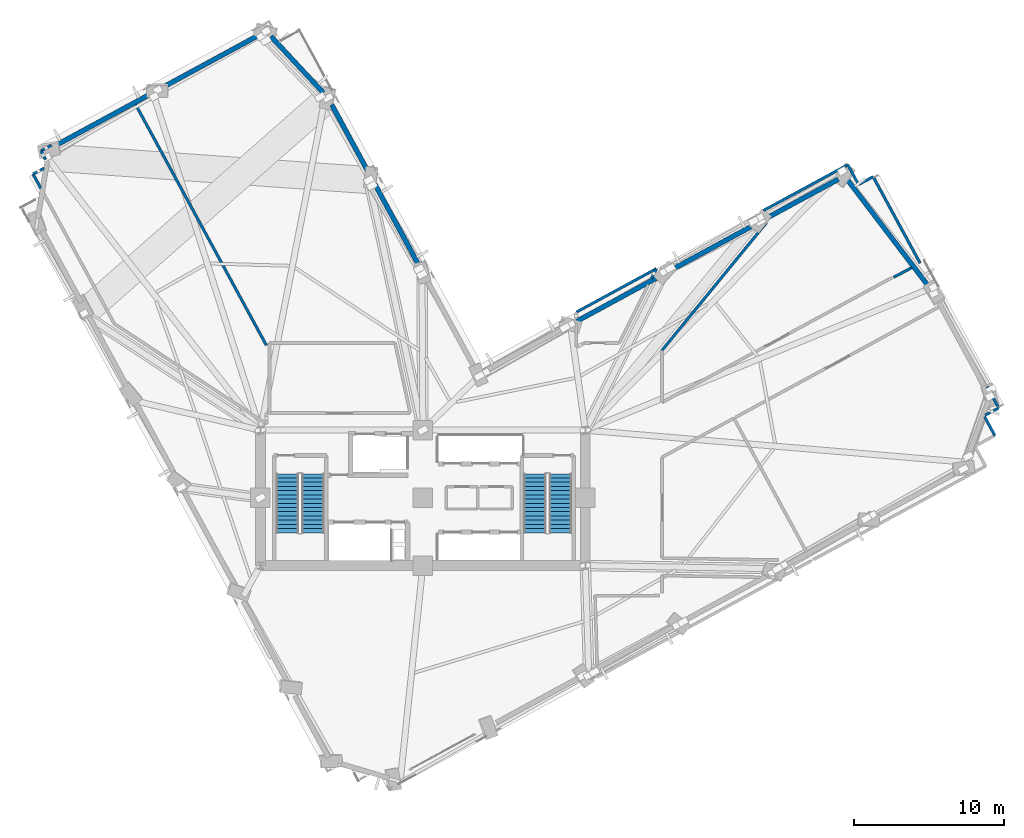
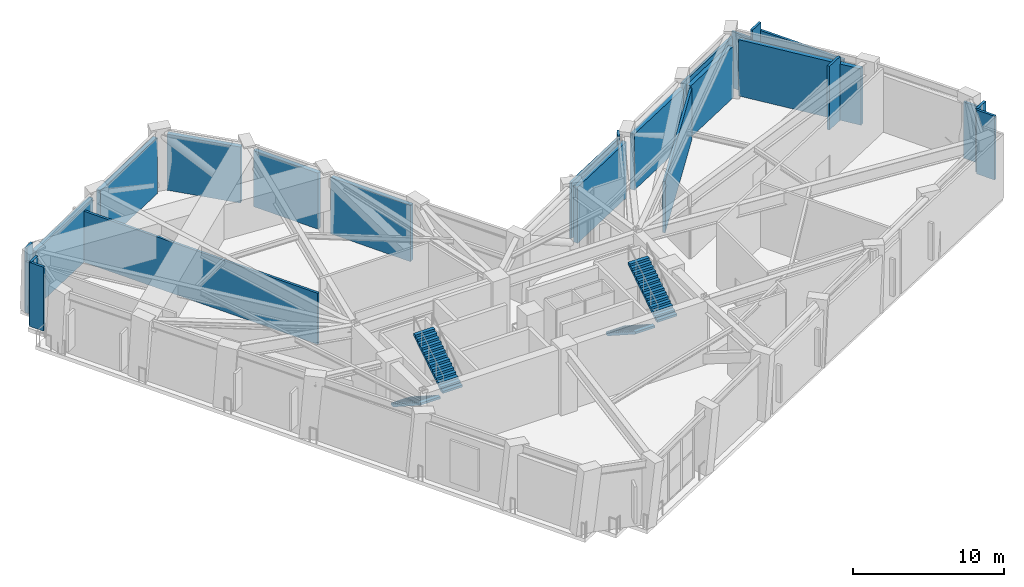
# One storey, part 10 of 15: 25 walls, 4 stair flights, 2 elements without a shape of their own.
"""IFC4 building model written with IfcOpenShell, lengths in metres."""

import ifcopenshell
import ifcopenshell.guid

model = None  # the IFC model being written
_history = None  # IfcOwnerHistory: only IFC2X3 demands one
_inside = {}  # id of a spatial element -> (the spatial element, [elements in it])
_under = {}  # id of a project, library or spatial element -> (it, [spatial elements below it])
_declared = {}  # id of a project -> (the project, [libraries it declares])
_typed = {}  # id of a type object -> (the type object, [elements of that type])
_made_of = {}  # id of a material, layer set ... -> (it, [elements and type objects made of it])


def new_model(schema):
    """Start an empty IFC model of exactly this schema.

    Asked for "IFC4X3", IfcOpenShell would pick the latest addendum, in which some entities
    have other attributes; the version numbers below select the first issue.
    IFC2X3 requires an IfcOwnerHistory on every rooted entity: one is made here for all.
    """
    global model, _history
    if schema == "IFC4X3":
        model = ifcopenshell.file(schema_version=(4, 3, 0, 0))
    else:
        model = ifcopenshell.file(schema=schema)
    _inside.clear()
    _under.clear()
    _declared.clear()
    _typed.clear()
    _made_of.clear()
    _history = None
    if model.schema == "IFC2X3":
        org = make("IfcOrganization", Name="unknown")
        user = make(
            "IfcPersonAndOrganization",
            ThePerson=make("IfcPerson", FamilyName="unknown"),
            TheOrganization=org,
        )
        app = make(
            "IfcApplication",
            ApplicationDeveloper=org,
            Version="unknown",
            ApplicationFullName="unknown",
            ApplicationIdentifier="unknown",
        )
        _history = make(
            "IfcOwnerHistory",
            OwningUser=user,
            OwningApplication=app,
            ChangeAction="ADDED",
            CreationDate=0,
        )
    return model


def make(cls, **values):
    """One entity of the class cls with the attributes given. An attribute that is None is left unset."""
    return model.create_entity(
        cls, **{name: value for name, value in values.items() if value is not None}
    )


def rooted(cls, **values):
    """An entity with a GlobalId (a new one), such as an element, a storey or a relation."""
    return make(cls, GlobalId=ifcopenshell.guid.new(), OwnerHistory=_history, **values)


def si_unit(unit_type, name, prefix=None):
    """IfcSIUnit, for example si_unit("LENGTHUNIT", "METRE", prefix="MILLI")."""
    return make("IfcSIUnit", UnitType=unit_type, Prefix=prefix, Name=name)


def assignment(units):
    """IfcUnitAssignment: the units of a project."""
    return None if units is None else make("IfcUnitAssignment", Units=units)


def point(xyz):
    """IfcCartesianPoint."""
    return None if xyz is None else make("IfcCartesianPoint", Coordinates=xyz)


def direction(xyz):
    """IfcDirection."""
    return None if xyz is None else make("IfcDirection", DirectionRatios=xyz)


def frame(location, z_axis=None, x_axis=None):
    """IfcAxis2Placement3D, a coordinate frame: its origin and axes. An axis left out is left unset."""
    return make(
        "IfcAxis2Placement3D",
        Location=point(location),
        Axis=direction(z_axis),
        RefDirection=direction(x_axis),
    )


def frame_2d(location, x_axis=None):
    """IfcAxis2Placement2D, a coordinate frame in the plane: its origin and x axis."""
    return make(
        "IfcAxis2Placement2D", Location=point(location), RefDirection=direction(x_axis)
    )


def origin():
    """The frame at (0, 0, 0) with its axes left unset."""
    return frame((0.0, 0.0, 0.0))


def place(relative_to, where):
    """IfcLocalPlacement: puts the frame where relative to a parent placement (None: the world)."""
    return make(
        "IfcLocalPlacement", PlacementRelTo=relative_to, RelativePlacement=where
    )


def context(
    kind, dimensions, precision=None, world=None, true_north=None, identifier=None
):
    """IfcGeometricRepresentationContext, for example the 3D "Model" context."""
    return make(
        "IfcGeometricRepresentationContext",
        ContextIdentifier=identifier,
        ContextType=kind,
        CoordinateSpaceDimension=dimensions,
        Precision=precision,
        WorldCoordinateSystem=world,
        TrueNorth=true_north,
    )


def subcontext(parent, identifier, kind, view, scale=None):
    """IfcGeometricRepresentationSubContext, for example "Body" below "Model"."""
    return make(
        "IfcGeometricRepresentationSubContext",
        ContextIdentifier=identifier,
        ContextType=kind,
        ParentContext=parent,
        TargetScale=scale,
        TargetView=view,
    )


def project(units=None, contexts=None):
    """IfcProject with its units and contexts."""
    return rooted(
        "IfcProject",
        Name="project",
        RepresentationContexts=contexts,
        UnitsInContext=assignment(units),
    )


def spatial(cls, under=None, at=None, **own):
    """A site, building, storey or space (cls), placed at a placement, below another one or the project."""
    s = rooted(cls, ObjectPlacement=at, **own)
    if under is not None:
        _under.setdefault(under.id(), (under, []))[1].append(s)
    return s


def polyline(points):
    """IfcPolyline through the points."""
    return make("IfcPolyline", Points=[point(p) for p in points])


def profile(cls, at=None, kind="AREA", **sizes):
    """A parametric profile (cls). Its sizes go by their IFC names, for example OverallWidth=200.0."""
    return make(cls, ProfileType=kind, Position=at, **sizes)


def rectangle(**sizes):
    """IfcRectangleProfileDef."""
    return profile("IfcRectangleProfileDef", **sizes)


def outline(outer, holes=None, kind="AREA"):
    """IfcArbitraryClosedProfileDef: a profile drawn as a closed curve; with holes, ...WithVoids."""
    if holes is None:
        return make("IfcArbitraryClosedProfileDef", ProfileType=kind, OuterCurve=outer)
    return make(
        "IfcArbitraryProfileDefWithVoids",
        ProfileType=kind,
        OuterCurve=outer,
        InnerCurves=holes,
    )


def extrude(swept, where, along, depth):
    """IfcExtrudedAreaSolid: the profile swept, set in the frame where, extruded along a direction by depth."""
    return make(
        "IfcExtrudedAreaSolid",
        SweptArea=swept,
        Position=where,
        ExtrudedDirection=direction(along),
        Depth=depth,
    )


def shape(context_of_items, identifier, shape_type, items):
    """IfcShapeRepresentation: the items that make up one representation, for example the "Body"."""
    return make(
        "IfcShapeRepresentation",
        ContextOfItems=context_of_items,
        RepresentationIdentifier=identifier,
        RepresentationType=shape_type,
        Items=items,
    )


def material(Name=None, Category=None):
    """IfcMaterial."""
    return make("IfcMaterial", Name=Name, Category=Category)


def layer(
    of_material, thickness, ventilated=None, Name=None, Category=None, Priority=None
):
    """IfcMaterialLayer: one layer of a wall or slab, of a material (None: an air gap)."""
    return make(
        "IfcMaterialLayer",
        Material=of_material,
        LayerThickness=thickness,
        IsVentilated=ventilated,
        Name=Name,
        Category=Category,
        Priority=Priority,
    )


def layer_set(layers, Name=None):
    """IfcMaterialLayerSet."""
    return make("IfcMaterialLayerSet", MaterialLayers=layers, LayerSetName=Name)


def made_of(thing, what):
    """Note that an element or type object is made of a material, layer set ...; save() writes the relation."""
    if what is not None:
        _made_of.setdefault(what.id(), (what, []))[1].append(thing)
    return thing


def type_object(cls, material=None, **own):
    """A type object (cls), such as IfcWallType, which elements share."""
    return made_of(rooted(cls, **own), material)


def element(
    cls,
    number,
    at=None,
    inside=None,
    cuts=None,
    type_object=None,
    material=None,
    context=None,
    identifier="Body",
    shape_type=None,
    held_by="IfcProductDefinitionShape",
    body=None,
    shapes=None,
    **own,
):
    """One element of the class cls, such as IfcWall. Its Tag is "e" and its number.

    at: its placement. inside: the storey or other place that contains it. cuts: it is an
    opening in that element (IfcRelVoidsElement). A single representation is given by context,
    identifier, shape_type and body (its items); several are given by shapes. held_by: the class
    of the entity that holds the representations. save() writes the other relations.
    """
    e = rooted(cls, Tag="e%d" % number, ObjectPlacement=at, **own)
    if body is not None:
        shapes = [shape(context, identifier, shape_type, body)]
    if shapes is not None:
        e.Representation = make(held_by, Representations=shapes)
    if inside is not None:
        _inside.setdefault(inside.id(), (inside, []))[1].append(e)
    if cuts is not None:
        rooted(
            "IfcRelVoidsElement", RelatingBuildingElement=cuts, RelatedOpeningElement=e
        )
    if type_object is not None:
        _typed.setdefault(type_object.id(), (type_object, []))[1].append(e)
    return made_of(e, material)


def aggregate(whole, parts):
    """IfcRelAggregates: a whole, such as a stair, and the parts it consists of."""
    return rooted("IfcRelAggregates", RelatingObject=whole, RelatedObjects=parts)


def save(model, path):
    """Write the relations noted so far, then the file.

    IfcRelAggregates (storeys below a building ...), IfcRelContainedInSpatialStructure (elements
    in a storey), IfcRelDefinesByType, IfcRelAssociatesMaterial and IfcRelDeclares: one each for
    every whole, place, type object, material and project.
    """
    for whole, parts in _under.values():
        aggregate(whole, parts)
    for where, things in _inside.values():
        rooted(
            "IfcRelContainedInSpatialStructure",
            RelatedElements=things,
            RelatingStructure=where,
        )
    for kind, things in _typed.values():
        rooted("IfcRelDefinesByType", RelatedObjects=things, RelatingType=kind)
    for what, things in _made_of.values():
        rooted("IfcRelAssociatesMaterial", RelatedObjects=things, RelatingMaterial=what)
    for by, libraries in _declared.values():
        rooted("IfcRelDeclares", RelatingContext=by, RelatedDefinitions=libraries)
    model.write(path)


model = new_model("IFC4")

# Units and contexts
model_context = context("Model", 3, precision=1e-05, world=origin(), true_north=direction((0.0, 1.0)))
body_context = subcontext(model_context, "Body", "Model", "MODEL_VIEW")
ifc_project = project(units=[si_unit("LENGTHUNIT", "METRE"), si_unit("AREAUNIT", "SQUARE_METRE"), si_unit("VOLUMEUNIT", "CUBIC_METRE"), si_unit("PLANEANGLEUNIT", "RADIAN"), si_unit("MASSUNIT", "GRAM", prefix="KILO")], contexts=[model_context])

# Site, building, storey
site_placement = place(None, origin())
site = spatial("IfcSite", under=ifc_project, at=site_placement, CompositionType="ELEMENT")
building_placement = place(site_placement, origin())
building = spatial("IfcBuilding", under=site, at=building_placement, Name="Gaonmaruhae Medical Tower", CompositionType="ELEMENT")
storey_placement = place(building_placement, frame((0.0, 0.0, 144.39990234375)))
storey = spatial("IfcBuildingStorey", under=building, at=storey_placement, Name="L34", CompositionType="ELEMENT", Elevation=144.39990234375)

# Walls
ifc_material_1 = material(Name="Precast concrete C45/55", Category="concrete")
ifc_layer_1 = layer(ifc_material_1, 0.320068359375)
ifc_layer_set_1 = layer_set([ifc_layer_1], Name="Precast concrete C45/55")
wall_type_1 = type_object("IfcWallType", Name="EW-320 Lower Precast Masonry-Frame Facade Wall", PredefinedType="SOLIDWALL", material=ifc_layer_set_1)
wall_1_placement = place(storey_placement, frame((53.02685546875, 33.448486328125, 0.0), z_axis=(0.0, 0.0, 1.0), x_axis=(0.605849265647, -0.795579453804, 0.0)))
element("IfcWall", 1, at=wall_1_placement, inside=storey, type_object=wall_type_1, Name="L34 Precast Masonry-Frame Wall E02-E03", PredefinedType="SOLIDWALL", context=body_context, shape_type="SweptSolid", body=[
    extrude(rectangle(XDim=8.837646484375, YDim=0.320068359375, at=frame_2d((4.4189453125, 0.0))), origin(), (0.0, 0.0, 1.0), 4.565185546875),
])
wall_2_placement = place(storey_placement, frame((47.68212890625, 30.909912109375, 0.0), z_axis=(0.0, 0.0, 1.0), x_axis=(0.878820960486, 0.47715167338, 0.0)))
element("IfcWall", 2, at=wall_2_placement, inside=storey, type_object=wall_type_1, Name="L34 Precast Masonry-Frame Wall E03-EN01", PredefinedType="SOLIDWALL", context=body_context, shape_type="SweptSolid", body=[
    extrude(rectangle(XDim=5.40478515625, YDim=0.320068359375, at=frame_2d((2.702392578125, 0.0))), origin(), (0.0, 0.0, 1.0), 4.1650390625),
])
wall_3_placement = place(storey_placement, frame((41.364990234375, 27.47998046875, 0.0), z_axis=(0.0, 0.0, 1.0), x_axis=(0.878830414518, 0.477134260474, 0.0)))
element("IfcWall", 3, at=wall_3_placement, inside=storey, type_object=wall_type_1, Name="L34 Precast Masonry-Frame Wall EN01-EN02", PredefinedType="SOLIDWALL", context=body_context, shape_type="SweptSolid", body=[
    extrude(rectangle(XDim=6.2265625, YDim=0.320068359375, at=frame_2d((3.11328125, 0.0))), origin(), (0.0, 0.0, 1.0), 4.545166015625),
])
wall_4_placement = place(storey_placement, frame((35.04150390625, 24.046630859375, 0.0), z_axis=(0.0, 0.0, 1.0), x_axis=(0.878823763911, 0.477146509979, 0.0)))
element("IfcWall", 4, at=wall_4_placement, inside=storey, type_object=wall_type_1, Name="L34 Precast Masonry-Frame Wall EN02-EN03", PredefinedType="SOLIDWALL", context=body_context, shape_type="SweptSolid", body=[
    extrude(rectangle(XDim=6.211181640625, YDim=0.320068359375, at=frame_2d((3.10546875, 0.0))), origin(), (0.0, 0.0, 1.0), 4.545166015625),
])
wall_5_placement = place(storey_placement, frame((21.611328125, 33.1533203125, 0.0), z_axis=(0.0, 0.0, 1.0), x_axis=(0.477152467694, -0.878820529217, 0.0)))
element("IfcWall", 5, at=wall_5_placement, inside=storey, type_object=wall_type_1, Name="L34 Precast Masonry-Frame Wall NE01-NE02", PredefinedType="SOLIDWALL", context=body_context, shape_type="SweptSolid", body=[
    extrude(rectangle(XDim=6.222900390625, YDim=0.320068359375, at=frame_2d((3.111328125, 0.0))), origin(), (0.0, 0.0, 1.0), 4.565185546875),
])
wall_6_placement = place(storey_placement, frame((18.74169921875, 38.438232421875, 0.0), z_axis=(0.0, 0.0, 1.0), x_axis=(0.477180459418, -0.878805330634, 0.0)))
element("IfcWall", 6, at=wall_6_placement, inside=storey, type_object=wall_type_1, Name="L34 Precast Masonry-Frame Wall NE02-NE03", PredefinedType="SOLIDWALL", context=body_context, shape_type="SweptSolid", body=[
    extrude(rectangle(XDim=5.04736328125, YDim=0.320068359375, at=frame_2d((2.523681640625, 0.0))), origin(), (0.0, 0.0, 1.0), 4.545166015625),
])
wall_7_placement = place(storey_placement, frame((14.69384765625, 42.98876953125, 0.0), z_axis=(0.0, 0.0, 1.0), x_axis=(0.680463880843, -0.732781622906, 0.0)))
element("IfcWall", 7, at=wall_7_placement, inside=storey, type_object=wall_type_1, Name="L34 Precast Masonry-Frame Wall NE03-N01", PredefinedType="SOLIDWALL", context=body_context, shape_type="SweptSolid", body=[
    extrude(rectangle(XDim=5.12841796875, YDim=0.320068359375, at=frame_2d((2.564208984375, 0.0))), origin(), (0.0, 0.0, 1.0), 4.545166015625),
])
wall_8_placement = place(storey_placement, frame((7.410400390625, 39.53955078125, 0.0), z_axis=(0.0, 0.0, 1.0), x_axis=(0.878817834043, 0.477157431639, 0.0)))
element("IfcWall", 8, at=wall_8_placement, inside=storey, type_object=wall_type_1, Name="L34 Precast Masonry-Frame Wall N01-N02", PredefinedType="SOLIDWALL", context=body_context, shape_type="SweptSolid", body=[
    extrude(rectangle(XDim=7.230712890625, YDim=0.320068359375, at=frame_2d((3.615234375, 0.0))), origin(), (0.0, 0.0, 1.0), 4.545166015625),
])
wall_9_placement = place(storey_placement, frame((0.1826171875, 35.615234375, 0.0), z_axis=(0.0, 0.0, 1.0), x_axis=(0.878819234206, 0.47715485284, 0.0)))
element("IfcWall", 9, at=wall_9_placement, inside=storey, type_object=wall_type_1, Name="L34 Precast Masonry-Frame Wall N02-N03", PredefinedType="SOLIDWALL", context=body_context, shape_type="SweptSolid", body=[
    extrude(rectangle(XDim=7.270263671875, YDim=0.320068359375, at=frame_2d((3.63525390625, 0.0))), origin(), (0.0, 0.0, 1.0), 4.545166015625),
])
ifc_material_2 = material(Name="Gypsum board partition", Category="gypsum")
ifc_layer_2 = layer(ifc_material_2, 0.179931640625)
ifc_layer_set_2 = layer_set([ifc_layer_2], Name="Gypsum board partition")
wall_type_2 = type_object("IfcWallType", Name="PW-180 Refuge & Plant Acoustic Fire Partition", PredefinedType="PARTITIONING", material=ifc_layer_set_2)
wall_10_placement = place(storey_placement, frame((62.31689453125, 19.694091796875, 0.0), z_axis=(0.0, 0.0, 1.0), x_axis=(0.477045013958, -0.878878862334, 0.0)))
element("IfcWall", 10, at=wall_10_placement, inside=storey, type_object=wall_type_2, Name="L34 Interior Partition L34-AHU-31", PredefinedType="PARTITIONING", context=body_context, shape_type="SweptSolid", body=[
    extrude(rectangle(XDim=1.610107421875, YDim=0.179931640625, at=frame_2d((0.80517578125, 0.0))), origin(), (0.0, 0.0, 1.0), 4.565185546875),
])
wall_11_placement = place(storey_placement, frame((63.0849609375, 18.279052734375, 0.0), z_axis=(0.0, 0.0, 1.0), x_axis=(-0.878615794208, -0.477529356341, 0.0)))
element("IfcWall", 11, at=wall_11_placement, inside=storey, type_object=wall_type_2, Name="L34 Interior Partition L34-AHU-32", PredefinedType="PARTITIONING", context=body_context, shape_type="SweptSolid", body=[
    extrude(rectangle(XDim=1.02197265625, YDim=0.179931640625, at=frame_2d((0.510986328125, 0.0))), origin(), (0.0, 0.0, 1.0), 5.18017578125),
])
wall_12_placement = place(storey_placement, frame((62.15087890625, 17.693115234375, 0.0), z_axis=(0.0, 0.0, 1.0), x_axis=(0.47746463513, -0.878650967222, 0.0)))
element("IfcWall", 12, at=wall_12_placement, inside=storey, type_object=wall_type_2, Name="L34 Interior Partition L34-AHU-33", PredefinedType="PARTITIONING", context=body_context, shape_type="SweptSolid", body=[
    extrude(rectangle(XDim=1.4306640625, YDim=0.179931640625, at=frame_2d((0.71533203125, 0.0))), origin(), (0.0, 0.0, 1.0), 5.18017578125),
])
wall_13_placement = place(storey_placement, frame((40.699951171875, 22.110107421875, 0.0), z_axis=(0.0, 0.0, 1.0), x_axis=(0.633506184936, 0.773737625845, 0.0)))
element("IfcWall", 13, at=wall_13_placement, inside=storey, type_object=wall_type_2, Name="L34 Interior Partition L34-PUMP-39", PredefinedType="PARTITIONING", context=body_context, shape_type="SweptSolid", body=[
    extrude(rectangle(XDim=10.945556640625, YDim=0.179931640625, at=frame_2d((5.47265625, 0.0))), origin(), (0.0, 0.0, 1.0), 4.1650390625),
])
wall_14_placement = place(storey_placement, frame((47.43896484375, 31.404052734375, 0.0), z_axis=(0.0, 0.0, 1.0), x_axis=(0.878866711799, 0.477067398689, 0.0)))
element("IfcWall", 14, at=wall_14_placement, inside=storey, type_object=wall_type_2, Name="L34 Interior Partition L34-PUMP-40", PredefinedType="PARTITIONING", context=body_context, shape_type="SweptSolid", body=[
    extrude(rectangle(XDim=6.38671875, YDim=0.179931640625, at=frame_2d((3.193359375, 0.0))), origin(), (0.0, 0.0, 1.0), 4.1650390625),
])
wall_15_placement = place(storey_placement, frame((53.052001953125, 34.450927734375, 0.0), z_axis=(0.0, 0.0, 1.0), x_axis=(0.477425901703, -0.878672014112, 0.0)))
element("IfcWall", 15, at=wall_15_placement, inside=storey, type_object=wall_type_2, Name="L34 Interior Partition L34-PUMP-41", PredefinedType="PARTITIONING", context=body_context, shape_type="SweptSolid", body=[
    extrude(rectangle(XDim=1.499755859375, YDim=0.179931640625, at=frame_2d((0.75, 0.0))), origin(), (0.0, 0.0, 1.0), 4.565185546875),
])
wall_16_placement = place(storey_placement, frame((53.76806640625, 33.133056640625, 0.0), z_axis=(0.0, 0.0, 1.0), x_axis=(0.878624509573, 0.47751332042, 0.0)))
element("IfcWall", 16, at=wall_16_placement, inside=storey, type_object=wall_type_2, Name="L34 Interior Partition L34-PUMP-42", PredefinedType="PARTITIONING", context=body_context, shape_type="SweptSolid", body=[
    extrude(rectangle(XDim=1.09912109375, YDim=0.179931640625, at=frame_2d((0.549560546875, 0.0))), origin(), (0.0, 0.0, 1.0), 5.18017578125),
])
wall_17_placement = place(storey_placement, frame((54.73388671875, 33.657958984375, 0.0), z_axis=(0.0, 0.0, 1.0), x_axis=(0.477281859885, -0.878750263855, 0.0)))
element("IfcWall", 17, at=wall_17_placement, inside=storey, type_object=wall_type_2, Name="L34 Interior Partition L34-PUMP-43", PredefinedType="PARTITIONING", context=body_context, shape_type="SweptSolid", body=[
    extrude(rectangle(XDim=6.550048828125, YDim=0.179931640625, at=frame_2d((3.27490234375, 0.0))), origin(), (0.0, 0.0, 1.0), 4.565185546875),
])
wall_18_placement = place(storey_placement, frame((57.305908203125, 27.60693359375, 0.0), z_axis=(0.0, 0.0, 1.0), x_axis=(-0.882695177221, -0.469945979991, 0.0)))
element("IfcWall", 18, at=wall_18_placement, inside=storey, type_object=wall_type_2, Name="L34 Interior Partition L34-PUMP-44", PredefinedType="PARTITIONING", context=body_context, shape_type="SweptSolid", body=[
    extrude(rectangle(XDim=1.361572265625, YDim=0.179931640625, at=frame_2d((0.6806640625, 0.0))), origin(), (0.0, 0.0, 1.0), 5.18017578125),
])
wall_19_placement = place(storey_placement, frame((35.0, 24.64990234375, 0.0), z_axis=(0.0, 0.0, 1.0), x_axis=(0.878818179516, 0.477156795354, 0.0)))
element("IfcWall", 19, at=wall_19_placement, inside=storey, type_object=wall_type_2, Name="L34 Interior Partition L34-PUMPB-48", PredefinedType="PARTITIONING", context=body_context, shape_type="SweptSolid", body=[
    extrude(rectangle(XDim=6.056884765625, YDim=0.179931640625, at=frame_2d((3.0283203125, 0.0))), origin(), (0.0, 0.0, 1.0), 4.545166015625),
])
wall_20_placement = place(storey_placement, frame((40.322998046875, 27.5400390625, 0.0), z_axis=(0.0, 0.0, 1.0), x_axis=(-0.4472135955, -0.894427191, 0.0)))
element("IfcWall", 20, at=wall_20_placement, inside=storey, type_object=wall_type_2, Name="L34 Interior Partition L34-PUMPB-49", PredefinedType="PARTITIONING", context=body_context, shape_type="SweptSolid", body=[
    extrude(rectangle(XDim=0.724365234375, YDim=0.179931640625, at=frame_2d((0.3623046875, 0.0))), origin(), (0.0, 0.0, 1.0), 5.18017578125),
])
wall_21_placement = place(storey_placement, frame((-0.5859375, 35.368896484375, 0.0), z_axis=(0.0, 0.0, 1.0), x_axis=(0.878964054274, 0.476888028046, 0.0)))
element("IfcWall", 21, at=wall_21_placement, inside=storey, type_object=wall_type_2, Name="L34 Interior Partition L34-ELEC-52", PredefinedType="PARTITIONING", context=body_context, shape_type="SweptSolid", body=[
    extrude(rectangle(XDim=0.79296875, YDim=0.179931640625, at=frame_2d((0.396484375, 0.0))), origin(), (0.0, 0.0, 1.0), 5.18017578125),
])
wall_22_placement = place(storey_placement, frame((5.701904296875, 38.4580078125, 0.0), z_axis=(0.0, 0.0, 1.0), x_axis=(0.477174325275, -0.87880866137, 0.0)))
element("IfcWall", 22, at=wall_22_placement, inside=storey, type_object=wall_type_2, Name="L34 Interior Partition L34-ELEC-53", PredefinedType="PARTITIONING", context=body_context, shape_type="SweptSolid", body=[
    extrude(rectangle(XDim=18.22802734375, YDim=0.179931640625, at=frame_2d((9.114013671875, 0.0))), origin(), (0.0, 0.0, 1.0), 4.14501953125),
])
wall_23_placement = place(storey_placement, frame((-0.60205078125, 32.884033203125, 0.0), z_axis=(0.0, 0.0, 1.0), x_axis=(-0.477021715048, 0.878891508306, 0.0)))
element("IfcWall", 23, at=wall_23_placement, inside=storey, type_object=wall_type_2, Name="L34 Interior Partition L34-ELEC-57", PredefinedType="PARTITIONING", context=body_context, shape_type="SweptSolid", body=[
    extrude(rectangle(XDim=1.0751953125, YDim=0.179931640625, at=frame_2d((0.53759765625, 0.0))), origin(), (0.0, 0.0, 1.0), 5.18017578125),
])
wall_24_placement = place(storey_placement, frame((-1.114990234375, 33.8291015625, 0.0), z_axis=(0.0, 0.0, 1.0), x_axis=(0.878961532291, 0.476892676347, 0.0)))
element("IfcWall", 24, at=wall_24_placement, inside=storey, type_object=wall_type_2, Name="L34 Interior Partition L34-ELEC-58", PredefinedType="PARTITIONING", context=body_context, shape_type="SweptSolid", body=[
    extrude(rectangle(XDim=0.838623046875, YDim=0.179931640625, at=frame_2d((0.41943359375, 0.0))), origin(), (0.0, 0.0, 1.0), 5.18017578125),
])
wall_25_placement = place(storey_placement, frame((-0.27490234375, 34.794921875, 0.0), z_axis=(0.0, 0.0, 1.0), x_axis=(-0.47643975726, 0.879207118774, 0.0)))
element("IfcWall", 25, at=wall_25_placement, inside=storey, type_object=wall_type_2, Name="L34 Interior Partition L34-ELEC-59", PredefinedType="PARTITIONING", context=body_context, shape_type="SweptSolid", body=[
    extrude(rectangle(XDim=0.65283203125, YDim=0.179931640625, at=frame_2d((0.326416015625, 0.0))), origin(), (0.0, 0.0, 1.0), 4.14501953125),
])

# Stair, stair flights
ifc_material_3 = material(Name="Concrete C40/50", Category="concrete")
stair_type = type_object("IfcStairType", Name="ST-T1 Primary Core Escape Dogleg Stair", PredefinedType="TWO_QUARTER_TURN_STAIR", material=ifc_material_3)
stair_1_placement = place(storey_placement, origin())
stair_1 = element("IfcStair", 26, at=stair_1_placement, inside=storey, type_object=stair_type, Name="L34 Protected Escape Stair ST-01", PredefinedType="TWO_QUARTER_TURN_STAIR")
stair_flight_type = type_object("IfcStairFlightType", Name="SF-T1 Primary Core Precast Stair Flight", PredefinedType="STRAIGHT", material=ifc_material_3)
stair_flight_1_placement = place(storey_placement, frame((15.800048828125, 13.89990234375, 0.0), z_axis=(0.0, 0.0, 1.0), x_axis=(0.0, -1.0, 0.0)))
stair_flight_1 = element("IfcStairFlight", 27, at=stair_flight_1_placement, type_object=stair_flight_type, Name="ST-01 flight 1", NumberOfRisers=15, NumberOfTreads=14, PredefinedType="STRAIGHT", RiserHeight=0.18, TreadLength=0.28, context=body_context, shape_type="SweptSolid", body=[
    extrude(outline(polyline([(0.0, 0.0), (0.0, 0.179931640625), (0.280029296875, 0.179931640625), (0.280029296875, 0.360107421875), (0.56005859375, 0.360107421875), (0.56005859375, 0.5400390625), (0.840087890625, 0.5400390625), (0.840087890625, 0.719970703125), (1.1201171875, 0.719970703125), (1.1201171875, 0.89990234375), (1.39990234375, 0.89990234375), (1.39990234375, 1.080078125), (1.679931640625, 1.080078125), (1.679931640625, 1.260009765625), (1.9599609375, 1.260009765625), (1.9599609375, 1.43994140625), (2.239990234375, 1.43994140625), (2.239990234375, 1.6201171875), (2.52001953125, 1.6201171875), (2.52001953125, 1.800048828125), (2.800048828125, 1.800048828125), (2.800048828125, 1.97998046875), (3.080078125, 1.97998046875), (3.080078125, 2.159912109375), (3.360107421875, 2.159912109375), (3.360107421875, 2.340087890625), (3.639892578125, 2.340087890625), (3.639892578125, 2.52001953125), (3.919921875, 2.52001953125), (3.919921875, 2.699951171875), (3.919921875, 2.341796875), (0.277099609375, 0.0), (0.0, 0.0)])), frame((0.0, 0.75, 0.0), z_axis=(0.0, -1.0, 0.0), x_axis=(1.0, 0.0, 0.0)), (0.0, 0.0, 1.0), 1.5),
])
stair_flight_2_placement = place(storey_placement, frame((17.5, 9.97998046875, 2.7001953125), z_axis=(0.0, 0.0, 1.0), x_axis=(0.0, 1.0, 0.0)))
stair_flight_2 = element("IfcStairFlight", 28, at=stair_flight_2_placement, type_object=stair_flight_type, Name="ST-01 flight 2", NumberOfRisers=15, NumberOfTreads=14, PredefinedType="STRAIGHT", RiserHeight=0.18, TreadLength=0.28, context=body_context, shape_type="SweptSolid", body=[
    extrude(outline(polyline([(0.0, 0.0), (0.0, 0.179931640625), (0.280029296875, 0.179931640625), (0.280029296875, 0.360107421875), (0.56005859375, 0.360107421875), (0.56005859375, 0.5400390625), (0.840087890625, 0.5400390625), (0.840087890625, 0.719970703125), (1.1201171875, 0.719970703125), (1.1201171875, 0.89990234375), (1.39990234375, 0.89990234375), (1.39990234375, 1.080078125), (1.679931640625, 1.080078125), (1.679931640625, 1.260009765625), (1.9599609375, 1.260009765625), (1.9599609375, 1.43994140625), (2.239990234375, 1.43994140625), (2.239990234375, 1.6201171875), (2.52001953125, 1.6201171875), (2.52001953125, 1.800048828125), (2.800048828125, 1.800048828125), (2.800048828125, 1.97998046875), (3.080078125, 1.97998046875), (3.080078125, 2.159912109375), (3.360107421875, 2.159912109375), (3.360107421875, 2.340087890625), (3.639892578125, 2.340087890625), (3.639892578125, 2.52001953125), (3.919921875, 2.52001953125), (3.919921875, 2.699951171875), (3.919921875, 2.341796875), (0.277099609375, 0.0), (0.0, 0.0)])), frame((0.0, 0.75, 0.0), z_axis=(0.0, -1.0, 0.0), x_axis=(1.0, 0.0, 0.0)), (0.0, 0.0, 1.0), 1.5),
])
aggregate(stair_1, [stair_flight_1, stair_flight_2])

stair_2_placement = place(storey_placement, origin())
stair_2 = element("IfcStair", 29, at=stair_2_placement, inside=storey, type_object=stair_type, Name="L34 Protected Escape Stair ST-02", PredefinedType="TWO_QUARTER_TURN_STAIR")
stair_flight_3_placement = place(storey_placement, frame((32.25, 13.89990234375, 0.0), z_axis=(0.0, 0.0, 1.0), x_axis=(0.0, -1.0, 0.0)))
stair_flight_3 = element("IfcStairFlight", 30, at=stair_flight_3_placement, type_object=stair_flight_type, Name="ST-02 flight 1", NumberOfRisers=15, NumberOfTreads=14, PredefinedType="STRAIGHT", RiserHeight=0.18, TreadLength=0.28, context=body_context, shape_type="SweptSolid", body=[
    extrude(outline(polyline([(0.0, 0.0), (0.0, 0.179931640625), (0.280029296875, 0.179931640625), (0.280029296875, 0.360107421875), (0.56005859375, 0.360107421875), (0.56005859375, 0.5400390625), (0.840087890625, 0.5400390625), (0.840087890625, 0.719970703125), (1.1201171875, 0.719970703125), (1.1201171875, 0.89990234375), (1.39990234375, 0.89990234375), (1.39990234375, 1.080078125), (1.679931640625, 1.080078125), (1.679931640625, 1.260009765625), (1.9599609375, 1.260009765625), (1.9599609375, 1.43994140625), (2.239990234375, 1.43994140625), (2.239990234375, 1.6201171875), (2.52001953125, 1.6201171875), (2.52001953125, 1.800048828125), (2.800048828125, 1.800048828125), (2.800048828125, 1.97998046875), (3.080078125, 1.97998046875), (3.080078125, 2.159912109375), (3.360107421875, 2.159912109375), (3.360107421875, 2.340087890625), (3.639892578125, 2.340087890625), (3.639892578125, 2.52001953125), (3.919921875, 2.52001953125), (3.919921875, 2.699951171875), (3.919921875, 2.341796875), (0.277099609375, 0.0), (0.0, 0.0)])), frame((0.0, 0.75, 0.0), z_axis=(0.0, -1.0, 0.0), x_axis=(1.0, 0.0, 0.0)), (0.0, 0.0, 1.0), 1.5),
])
stair_flight_4_placement = place(storey_placement, frame((33.949951171875, 9.97998046875, 2.7001953125), z_axis=(0.0, 0.0, 1.0), x_axis=(0.0, 1.0, 0.0)))
stair_flight_4 = element("IfcStairFlight", 31, at=stair_flight_4_placement, type_object=stair_flight_type, Name="ST-02 flight 2", NumberOfRisers=15, NumberOfTreads=14, PredefinedType="STRAIGHT", RiserHeight=0.18, TreadLength=0.28, context=body_context, shape_type="SweptSolid", body=[
    extrude(outline(polyline([(0.0, 0.0), (0.0, 0.179931640625), (0.280029296875, 0.179931640625), (0.280029296875, 0.360107421875), (0.56005859375, 0.360107421875), (0.56005859375, 0.5400390625), (0.840087890625, 0.5400390625), (0.840087890625, 0.719970703125), (1.1201171875, 0.719970703125), (1.1201171875, 0.89990234375), (1.39990234375, 0.89990234375), (1.39990234375, 1.080078125), (1.679931640625, 1.080078125), (1.679931640625, 1.260009765625), (1.9599609375, 1.260009765625), (1.9599609375, 1.43994140625), (2.239990234375, 1.43994140625), (2.239990234375, 1.6201171875), (2.52001953125, 1.6201171875), (2.52001953125, 1.800048828125), (2.800048828125, 1.800048828125), (2.800048828125, 1.97998046875), (3.080078125, 1.97998046875), (3.080078125, 2.159912109375), (3.360107421875, 2.159912109375), (3.360107421875, 2.340087890625), (3.639892578125, 2.340087890625), (3.639892578125, 2.52001953125), (3.919921875, 2.52001953125), (3.919921875, 2.699951171875), (3.919921875, 2.341796875), (0.277099609375, 0.0), (0.0, 0.0)])), frame((0.0, 0.75, 0.0), z_axis=(0.0, -1.0, 0.0), x_axis=(1.0, 0.0, 0.0)), (0.0, 0.0, 1.0), 1.5),
])
aggregate(stair_2, [stair_flight_3, stair_flight_4])

save(model, "model.ifc")
